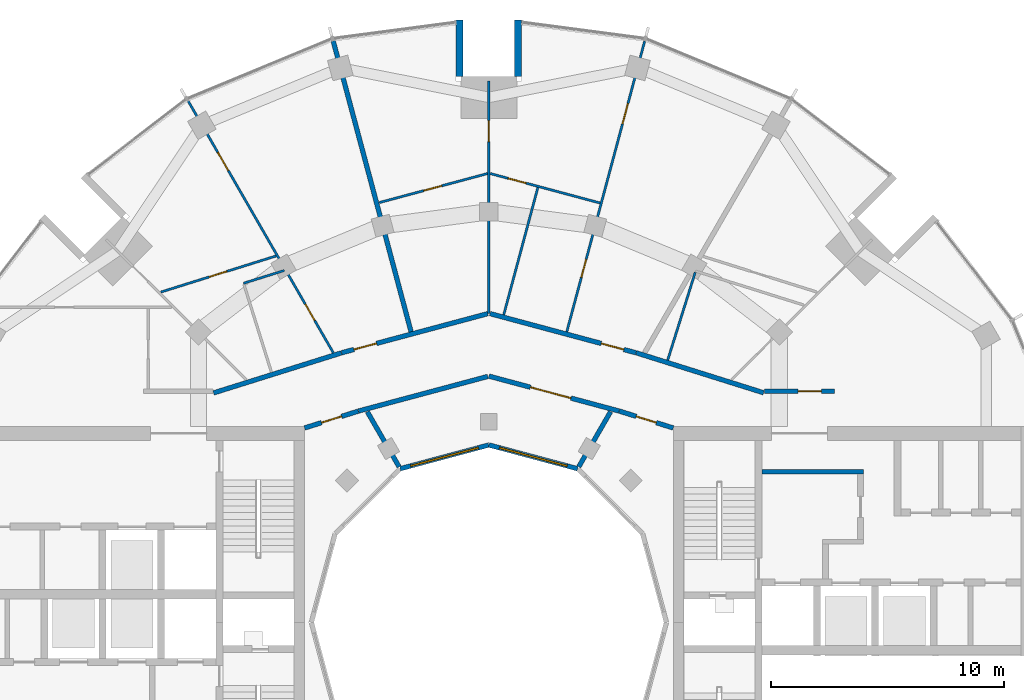
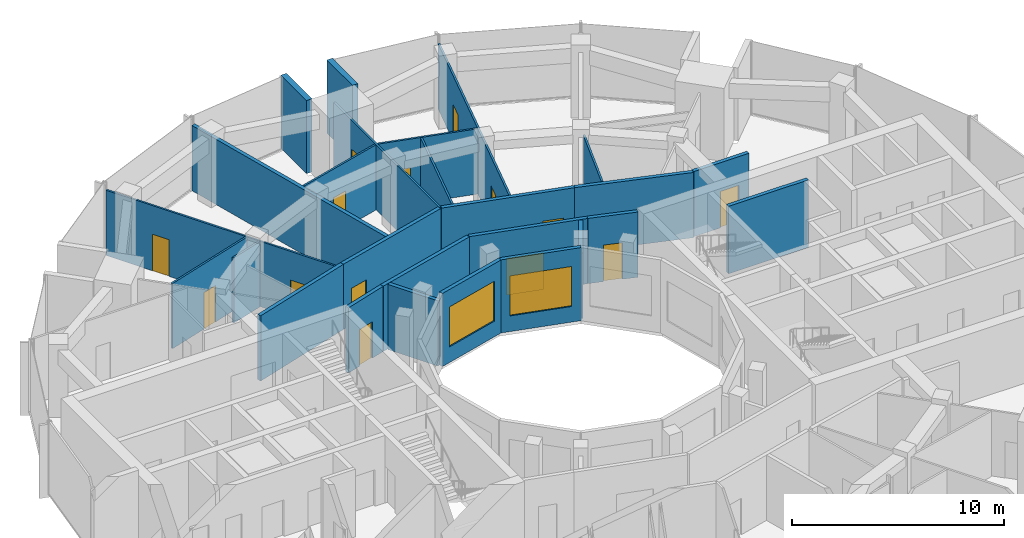
# One storey, part 12 of 15: 26 walls, 14 doors, 2 windows, 16 openings.
"""IFC4 building model written with IfcOpenShell, lengths in metres."""

from ifc_helpers import new_model, si_unit, direction, frame, frame_2d, origin, place, context, subcontext, project, spatial, rectangle, extrude, material, layer, layer_set, type_object, element, fill, save


model = new_model("IFC4")

# Units and contexts
model_context = context("Model", 3, precision=1e-05, world=origin(), true_north=direction((0.0, 1.0)))
body_context = subcontext(model_context, "Body", "Model", "MODEL_VIEW")
ifc_project = project(units=[si_unit("LENGTHUNIT", "METRE"), si_unit("AREAUNIT", "SQUARE_METRE"), si_unit("VOLUMEUNIT", "CUBIC_METRE"), si_unit("PLANEANGLEUNIT", "RADIAN"), si_unit("MASSUNIT", "GRAM", prefix="KILO")], contexts=[model_context])

# Site, building, storey
site_placement = place(None, origin())
site = spatial("IfcSite", under=ifc_project, at=site_placement, CompositionType="ELEMENT")
building_placement = place(site_placement, origin())
building = spatial("IfcBuilding", under=site, at=building_placement, Name="Torre Brocal", CompositionType="ELEMENT")
storey_placement = place(building_placement, frame((0.0, 0.0, 254.10009765625)))
storey = spatial("IfcBuildingStorey", under=building, at=storey_placement, Name="L58", CompositionType="ELEMENT", Elevation=254.10009765625)

# Walls
ifc_material_1 = material(Name="Concrete C60", Category="concrete")
ifc_layer_1 = layer(ifc_material_1, 0.199951171875)
ifc_layer_set_1 = layer_set([ifc_layer_1], Name="Concrete C60")
wall_type_1 = type_object("IfcWallType", Name="CORE WALL 200 C60", PredefinedType="SHEAR", material=ifc_layer_set_1)
wall_1_placement = place(storey_placement, frame((91.699951171875, 81.449951171875, 0.0), z_axis=(0.0, 0.0, 1.0), x_axis=(1.0, 0.0, 0.0)))
element("IfcWall", 1, at=wall_1_placement, inside=storey, type_object=wall_type_1, Name="Wall CW200-60", PredefinedType="SHEAR", context=body_context, shape_type="SweptSolid", body=[
    extrude(rectangle(XDim=4.35009765625, YDim=0.199951171875, at=frame_2d((2.175048828125, 0.0))), origin(), (0.0, 0.0, 1.0), 3.8798828125),
])
ifc_material_2 = material(Name="Concrete C60", Category="concrete")
ifc_layer_2 = layer(ifc_material_2, 0.300048828125)
ifc_layer_set_2 = layer_set([ifc_layer_2], Name="Concrete C60")
wall_type_2 = type_object("IfcWallType", Name="NOTCH RETURN WALL 300 C60", PredefinedType="NOTDEFINED", material=ifc_layer_set_2)
for number, where, z_axis, x_axis, name in (
    (2, (81.25, 98.39990234375, 0.0), (0.0, 0.0, 1.0), (0.0, 1.0, 0.0), "NOTCH RETURN WALL"),
    (3, (78.75, 98.39990234375, 0.0), (0.0, 0.0, 1.0), (0.0, 1.0, 0.0), "NOTCH RETURN WALL"),
):
    element("IfcWall", number, at=place(storey_placement, frame(where, z_axis=z_axis, x_axis=x_axis)), inside=storey, type_object=wall_type_2, Name=name, PredefinedType="NOTDEFINED", context=body_context, shape_type="SweptSolid", body=[
        extrude(rectangle(XDim=2.415771484375, YDim=0.300048828125, at=frame_2d((1.2080078125, 0.0))), origin(), (0.0, 0.0, 1.0), 4.199951171875),
    ])

# Wall, opening, door
ifc_material_3 = material(Name="Gypsum board", Category="Gypsum")
ifc_layer_3 = layer(ifc_material_3, 0.10009765625)
ifc_layer_set_3 = layer_set([ifc_layer_3], Name="Gypsum board")
wall_type_3 = type_object("IfcWallType", Name="PARTITION 100", PredefinedType="PARTITIONING", material=ifc_layer_set_3)
wall_2_placement = place(storey_placement, frame((65.9443359375, 89.156982421875, 0.0), z_axis=(0.0, 0.0, 1.0), x_axis=(0.954238484697, 0.299046675828, 0.0)))
wall_2 = element("IfcWall", 4, at=wall_2_placement, inside=storey, type_object=wall_type_3, Name="BATHROOM WALL", PredefinedType="PARTITIONING", context=body_context, shape_type="SweptSolid", body=[
    extrude(rectangle(XDim=5.16943359375, YDim=0.10009765625, at=frame_2d((2.584716796875, 0.0))), origin(), (0.0, 0.0, 1.0), 3.75),
])
opening_1_placement = place(wall_2_placement, frame((2.169921875, 0.0, 0.0)))
opening_1 = element("IfcOpeningElement", 5, at=opening_1_placement, cuts=wall_2, Name="Opening B04-D13", PredefinedType="OPENING", context=body_context, shape_type="SweptSolid", body=[
    extrude(rectangle(XDim=0.800048828125, YDim=2.10009765625, at=frame_2d((0.39990234375, 1.050048828125))), frame((0.0, 0.06005859375, 0.0), z_axis=(0.0, -1.0, 0.0), x_axis=(1.0, 0.0, 0.0)), (0.0, 0.0, 1.0), 0.1201171875),
])
ifc_material_4 = material(Name="Timber", Category="wood")
door_type_1 = type_object("IfcDoorType", Name="BATHROOM DOOR 800X2100", OperationType="SINGLE_SWING_LEFT", PredefinedType="DOOR", material=ifc_material_4)
door_1_placement = place(opening_1_placement, frame((0.800048828125, 0.0, 0.0), z_axis=(0.0, 0.0, 1.0), x_axis=(-1.0, 0.0, 0.0)))
door_1 = element("IfcDoor", 6, at=door_1_placement, inside=storey, type_object=door_type_1, Name="B04-D13", OperationType="SINGLE_SWING_RIGHT", OverallHeight=2.10009765625, OverallWidth=0.800048828125, PredefinedType="DOOR", context=body_context, shape_type="SweptSolid", body=[
    extrude(rectangle(XDim=0.800048828125, YDim=2.10009765625, at=frame_2d((0.39990234375, 1.050048828125))), frame((0.0, 0.02490234375, 0.0), z_axis=(0.0, -1.0, 0.0), x_axis=(1.0, 0.0, 0.0)), (0.0, 0.0, 1.0), 0.050048828125),
])
fill(opening_1, door_1)

# Wall, openings, doors
wall_3_placement = place(storey_placement, frame((67.110595703125, 97.3466796875, 0.0), z_axis=(0.0, 0.0, 1.0), x_axis=(0.499428303955, -0.866355221147, 0.0)))
wall_3 = element("IfcWall", 7, at=wall_3_placement, inside=storey, type_object=wall_type_3, Name="BATHROOM WALL", PredefinedType="PARTITIONING", context=body_context, shape_type="SweptSolid", body=[
    extrude(rectangle(XDim=12.45556640625, YDim=0.10009765625, at=frame_2d((6.227783203125, 0.0))), origin(), (0.0, 0.0, 1.0), 3.75),
])
opening_2_placement = place(wall_3_placement, frame((2.5380859375, 0.0, 0.0)))
opening_2 = element("IfcOpeningElement", 8, at=opening_2_placement, cuts=wall_3, Name="Opening B04-D12", PredefinedType="OPENING", context=body_context, shape_type="SweptSolid", body=[
    extrude(rectangle(XDim=0.89990234375, YDim=2.10009765625, at=frame_2d((0.449951171875, 1.050048828125))), frame((0.0, 0.06005859375, 0.0), z_axis=(0.0, -1.0, 0.0), x_axis=(1.0, 0.0, 0.0)), (0.0, 0.0, 1.0), 0.1201171875),
])
opening_3_placement = place(wall_3_placement, frame((10.054931640625, 0.0, 0.0)))
opening_3 = element("IfcOpeningElement", 9, at=opening_3_placement, cuts=wall_3, Name="Opening B04-D14", PredefinedType="OPENING", context=body_context, shape_type="SweptSolid", body=[
    extrude(rectangle(XDim=0.800048828125, YDim=2.10009765625, at=frame_2d((0.39990234375, 1.050048828125))), frame((0.0, 0.06005859375, 0.0), z_axis=(0.0, -1.0, 0.0), x_axis=(1.0, 0.0, 0.0)), (0.0, 0.0, 1.0), 0.1201171875),
])
door_2_placement = place(opening_3_placement, frame((0.800048828125, 0.0, 0.0), z_axis=(0.0, 0.0, 1.0), x_axis=(-1.0, 0.0, 0.0)))
door_2 = element("IfcDoor", 10, at=door_2_placement, inside=storey, type_object=door_type_1, Name="B04-D14", OperationType="SINGLE_SWING_LEFT", OverallHeight=2.10009765625, OverallWidth=0.800048828125, PredefinedType="DOOR", context=body_context, shape_type="SweptSolid", body=[
    extrude(rectangle(XDim=0.800048828125, YDim=2.10009765625, at=frame_2d((0.39990234375, 1.050048828125))), frame((0.0, 0.02490234375, 0.0), z_axis=(0.0, -1.0, 0.0), x_axis=(1.0, 0.0, 0.0)), (0.0, 0.0, 1.0), 0.050048828125),
])
fill(opening_3, door_2)
ifc_material_5 = material(Name="Timber", Category="wood")
door_type_2 = type_object("IfcDoorType", Name="ROOM DOOR 900X2100", OperationType="SINGLE_SWING_LEFT", PredefinedType="DOOR", material=ifc_material_5)
door_3_placement = place(opening_2_placement, frame((0.89990234375, 0.0, 0.0), z_axis=(0.0, 0.0, 1.0), x_axis=(-1.0, 0.0, 0.0)))
door_3 = element("IfcDoor", 11, at=door_3_placement, inside=storey, type_object=door_type_2, Name="B04-D12", OperationType="SINGLE_SWING_RIGHT", OverallHeight=2.10009765625, OverallWidth=0.89990234375, PredefinedType="DOOR", context=body_context, shape_type="SweptSolid", body=[
    extrude(rectangle(XDim=0.89990234375, YDim=2.10009765625, at=frame_2d((0.449951171875, 1.050048828125))), frame((0.0, 0.02490234375, 0.0), z_axis=(0.0, -1.0, 0.0), x_axis=(1.0, 0.0, 0.0)), (0.0, 0.0, 1.0), 0.050048828125),
])
fill(opening_2, door_3)

# Wall
wall_4_placement = place(storey_placement, frame((69.486083984375, 89.533935546875, 0.0), z_axis=(0.0, 0.0, 1.0), x_axis=(0.954254575134, 0.298995327449, 0.0)))
element("IfcWall", 12, at=wall_4_placement, inside=storey, type_object=wall_type_3, Name="BATHROOM WALL", PredefinedType="PARTITIONING", context=body_context, shape_type="SweptSolid", body=[
    extrude(rectangle(XDim=1.8330078125, YDim=0.10009765625, at=frame_2d((0.91650390625, 0.0))), origin(), (0.0, 0.0, 1.0), 3.75),
])

# Wall, opening, door
wall_5_placement = place(storey_placement, frame((75.294189453125, 92.988525390625, 0.0), z_axis=(0.0, 0.0, 1.0), x_axis=(0.965836333205, 0.259152807165, 0.0)))
wall_5 = element("IfcWall", 13, at=wall_5_placement, inside=storey, type_object=wall_type_3, Name="BATHROOM WALL", PredefinedType="PARTITIONING", context=body_context, shape_type="SweptSolid", body=[
    extrude(rectangle(XDim=4.81201171875, YDim=0.10009765625, at=frame_2d((2.406005859375, 0.0))), origin(), (0.0, 0.0, 1.0), 3.75),
])
opening_4_placement = place(wall_5_placement, frame((1.981201171875, 0.0, 0.0)))
opening_4 = element("IfcOpeningElement", 14, at=opening_4_placement, cuts=wall_5, Name="Opening B04-D10", PredefinedType="OPENING", context=body_context, shape_type="SweptSolid", body=[
    extrude(rectangle(XDim=0.800048828125, YDim=2.10009765625, at=frame_2d((0.39990234375, 1.050048828125))), frame((0.0, 0.06005859375, 0.0), z_axis=(0.0, -1.0, 0.0), x_axis=(1.0, 0.0, 0.0)), (0.0, 0.0, 1.0), 0.1201171875),
])
door_4_placement = place(opening_4_placement, frame((0.800048828125, 0.0, 0.0), z_axis=(0.0, 0.0, 1.0), x_axis=(-1.0, 0.0, 0.0)))
door_4 = element("IfcDoor", 15, at=door_4_placement, inside=storey, type_object=door_type_1, Name="B04-D10", OperationType="SINGLE_SWING_LEFT", OverallHeight=2.10009765625, OverallWidth=0.800048828125, PredefinedType="DOOR", context=body_context, shape_type="SweptSolid", body=[
    extrude(rectangle(XDim=0.800048828125, YDim=2.10009765625, at=frame_2d((0.39990234375, 1.050048828125))), frame((0.0, 0.02490234375, 0.0), z_axis=(0.0, -1.0, 0.0), x_axis=(1.0, 0.0, 0.0)), (0.0, 0.0, 1.0), 0.050048828125),
])
fill(opening_4, door_4)

wall_6_placement = place(storey_placement, frame((80.0, 88.24609375, 0.0), z_axis=(0.0, 0.0, 1.0), x_axis=(0.0, 1.0, 0.0)))
wall_6 = element("IfcWall", 16, at=wall_6_placement, inside=storey, type_object=wall_type_3, Name="BATHROOM WALL", PredefinedType="PARTITIONING", context=body_context, shape_type="SweptSolid", body=[
    extrude(rectangle(XDim=9.953857421875, YDim=0.10009765625, at=frame_2d((4.97705078125, 0.0))), origin(), (0.0, 0.0, 1.0), 3.75),
])
opening_5_placement = place(wall_6_placement, frame((7.3544921875, 0.0, 0.0)))
opening_5 = element("IfcOpeningElement", 17, at=opening_5_placement, cuts=wall_6, Name="Opening B04-D09", PredefinedType="OPENING", context=body_context, shape_type="SweptSolid", body=[
    extrude(rectangle(XDim=0.89990234375, YDim=2.10009765625, at=frame_2d((0.449951171875, 1.050048828125))), frame((0.0, 0.06005859375, 0.0), z_axis=(0.0, -1.0, 0.0), x_axis=(1.0, 0.0, 0.0)), (0.0, 0.0, 1.0), 0.1201171875),
])
door_5_placement = place(opening_5_placement, origin())
door_5 = element("IfcDoor", 18, at=door_5_placement, inside=storey, type_object=door_type_2, Name="B04-D09", OperationType="SINGLE_SWING_LEFT", OverallHeight=2.10009765625, OverallWidth=0.89990234375, PredefinedType="DOOR", context=body_context, shape_type="SweptSolid", body=[
    extrude(rectangle(XDim=0.89990234375, YDim=2.10009765625, at=frame_2d((0.449951171875, 1.050048828125))), frame((0.0, 0.02490234375, 0.0), z_axis=(0.0, -1.0, 0.0), x_axis=(1.0, 0.0, 0.0)), (0.0, 0.0, 1.0), 0.050048828125),
])
fill(opening_5, door_5)

wall_7_placement = place(storey_placement, frame((80.057861328125, 94.2353515625, 0.0), z_axis=(0.0, 0.0, 1.0), x_axis=(0.965831212389, -0.259171891173, 0.0)))
wall_7 = element("IfcWall", 19, at=wall_7_placement, inside=storey, type_object=wall_type_3, Name="BATHROOM WALL", PredefinedType="PARTITIONING", context=body_context, shape_type="SweptSolid", body=[
    extrude(rectangle(XDim=4.8720703125, YDim=0.10009765625, at=frame_2d((2.43603515625, 0.0))), origin(), (0.0, 0.0, 1.0), 3.75),
])
opening_6_placement = place(wall_7_placement, frame((0.79150390625, 0.0, 0.0)))
opening_6 = element("IfcOpeningElement", 20, at=opening_6_placement, cuts=wall_7, Name="Opening B04-D07", PredefinedType="OPENING", context=body_context, shape_type="SweptSolid", body=[
    extrude(rectangle(XDim=0.800048828125, YDim=2.10009765625, at=frame_2d((0.39990234375, 1.050048828125))), frame((0.0, 0.06005859375, 0.0), z_axis=(0.0, -1.0, 0.0), x_axis=(1.0, 0.0, 0.0)), (0.0, 0.0, 1.0), 0.1201171875),
])
door_6_placement = place(opening_6_placement, frame((0.800048828125, 0.0, 0.0), z_axis=(0.0, 0.0, 1.0), x_axis=(-1.0, 0.0, 0.0)))
door_6 = element("IfcDoor", 21, at=door_6_placement, inside=storey, type_object=door_type_1, Name="B04-D07", OperationType="SINGLE_SWING_LEFT", OverallHeight=2.10009765625, OverallWidth=0.800048828125, PredefinedType="DOOR", context=body_context, shape_type="SweptSolid", body=[
    extrude(rectangle(XDim=0.800048828125, YDim=2.10009765625, at=frame_2d((0.39990234375, 1.050048828125))), frame((0.0, 0.02490234375, 0.0), z_axis=(0.0, -1.0, 0.0), x_axis=(1.0, 0.0, 0.0)), (0.0, 0.0, 1.0), 0.050048828125),
])
fill(opening_6, door_6)

# Wall
wall_8_placement = place(storey_placement, frame((80.635009765625, 88.179443359375, 0.0), z_axis=(0.0, 0.0, 1.0), x_axis=(0.258942728312, 0.965892676986, 0.0)))
element("IfcWall", 22, at=wall_8_placement, inside=storey, type_object=wall_type_3, Name="BATHROOM WALL", PredefinedType="PARTITIONING", context=body_context, shape_type="SweptSolid", body=[
    extrude(rectangle(XDim=5.6494140625, YDim=0.10009765625, at=frame_2d((2.82470703125, 0.0))), origin(), (0.0, 0.0, 1.0), 3.75),
])

# Wall, openings, doors
wall_9_placement = place(storey_placement, frame((83.337646484375, 87.455078125, 0.0), z_axis=(0.0, 0.0, 1.0), x_axis=(0.25886596283, 0.965913253501, 0.0)))
wall_9 = element("IfcWall", 23, at=wall_9_placement, inside=storey, type_object=wall_type_3, Name="BATHROOM WALL", PredefinedType="PARTITIONING", context=body_context, shape_type="SweptSolid", body=[
    extrude(rectangle(XDim=12.90380859375, YDim=0.10009765625, at=frame_2d((6.451904296875, 0.0))), origin(), (0.0, 0.0, 1.0), 3.75),
])
opening_7_placement = place(wall_9_placement, frame((9.2265625, 0.0, 0.0)))
opening_7 = element("IfcOpeningElement", 24, at=opening_7_placement, cuts=wall_9, Name="Opening B04-D06", PredefinedType="OPENING", context=body_context, shape_type="SweptSolid", body=[
    extrude(rectangle(XDim=0.89990234375, YDim=2.10009765625, at=frame_2d((0.449951171875, 1.050048828125))), frame((0.0, 0.06005859375, 0.0), z_axis=(0.0, -1.0, 0.0), x_axis=(1.0, 0.0, 0.0)), (0.0, 0.0, 1.0), 0.1201171875),
])
opening_8_placement = place(wall_9_placement, frame((2.4091796875, 0.0, 0.0)))
opening_8 = element("IfcOpeningElement", 25, at=opening_8_placement, cuts=wall_9, Name="Opening B04-D08", PredefinedType="OPENING", context=body_context, shape_type="SweptSolid", body=[
    extrude(rectangle(XDim=0.800048828125, YDim=2.10009765625, at=frame_2d((0.39990234375, 1.050048828125))), frame((0.0, 0.06005859375, 0.0), z_axis=(0.0, -1.0, 0.0), x_axis=(1.0, 0.0, 0.0)), (0.0, 0.0, 1.0), 0.1201171875),
])
door_7_placement = place(opening_8_placement, origin())
door_7 = element("IfcDoor", 26, at=door_7_placement, inside=storey, type_object=door_type_1, Name="B04-D08", OperationType="SINGLE_SWING_RIGHT", OverallHeight=2.10009765625, OverallWidth=0.800048828125, PredefinedType="DOOR", context=body_context, shape_type="SweptSolid", body=[
    extrude(rectangle(XDim=0.800048828125, YDim=2.10009765625, at=frame_2d((0.39990234375, 1.050048828125))), frame((0.0, 0.02490234375, 0.0), z_axis=(0.0, -1.0, 0.0), x_axis=(1.0, 0.0, 0.0)), (0.0, 0.0, 1.0), 0.050048828125),
])
fill(opening_8, door_7)
door_8_placement = place(opening_7_placement, frame((0.89990234375, 0.0, 0.0), z_axis=(0.0, 0.0, 1.0), x_axis=(-1.0, 0.0, 0.0)))
door_8 = element("IfcDoor", 27, at=door_8_placement, inside=storey, type_object=door_type_2, Name="B04-D06", OperationType="SINGLE_SWING_LEFT", OverallHeight=2.10009765625, OverallWidth=0.89990234375, PredefinedType="DOOR", context=body_context, shape_type="SweptSolid", body=[
    extrude(rectangle(XDim=0.89990234375, YDim=2.10009765625, at=frame_2d((0.449951171875, 1.050048828125))), frame((0.0, 0.02490234375, 0.0), z_axis=(0.0, -1.0, 0.0), x_axis=(1.0, 0.0, 0.0)), (0.0, 0.0, 1.0), 0.050048828125),
])
fill(opening_7, door_8)

# Walls
wall_10_placement = place(storey_placement, frame((87.660888671875, 86.236328125, 0.0), z_axis=(0.0, 0.0, 1.0), x_axis=(0.299267255743, 0.954169329648, 0.0)))
element("IfcWall", 28, at=wall_10_placement, inside=storey, type_object=wall_type_3, Name="BATHROOM WALL", PredefinedType="PARTITIONING", context=body_context, shape_type="SweptSolid", body=[
    extrude(rectangle(XDim=3.9501953125, YDim=0.10009765625, at=frame_2d((1.97509765625, 0.0))), origin(), (0.0, 0.0, 1.0), 3.75),
])
ifc_material_6 = material(Name="Gypsum board", Category="Gypsum")
ifc_layer_4 = layer(ifc_material_6, 0.199951171875)
ifc_layer_set_4 = layer_set([ifc_layer_4], Name="Gypsum board")
wall_type_4 = type_object("IfcWallType", Name="PARTITION 200 EI60", PredefinedType="PARTITIONING", material=ifc_layer_set_4)
wall_11_placement = place(storey_placement, frame((68.19970703125, 84.833740234375, 0.0), z_axis=(0.0, 0.0, 1.0), x_axis=(0.954260265251, 0.298977166624, 0.0)))
element("IfcWall", 29, at=wall_11_placement, inside=storey, type_object=wall_type_4, Name="FLAT ENTRANCE WALL", PredefinedType="PARTITIONING", context=body_context, shape_type="SweptSolid", body=[
    extrude(rectangle(XDim=5.74072265625, YDim=0.199951171875, at=frame_2d((2.870361328125, 0.0))), origin(), (0.0, 0.0, 1.0), 3.75),
])

# Wall, opening, door
wall_12_placement = place(storey_placement, frame((72.10009765625, 83.33203125, 0.0), z_axis=(0.0, 0.0, 1.0), x_axis=(0.954233106619, 0.299063836383, 0.0)))
wall_12 = element("IfcWall", 30, at=wall_12_placement, inside=storey, type_object=wall_type_4, Name="CORRIDOR WALL", PredefinedType="PARTITIONING", context=body_context, shape_type="SweptSolid", body=[
    extrude(rectangle(XDim=2.4140625, YDim=0.199951171875, at=frame_2d((1.20703125, 0.0))), origin(), (0.0, 0.0, 1.0), 3.75),
])
opening_9_placement = place(wall_12_placement, frame((0.761962890625, 0.0, 0.0)))
opening_9 = element("IfcOpeningElement", 31, at=opening_9_placement, cuts=wall_12, Name="Opening B04-D20", PredefinedType="OPENING", context=body_context, shape_type="SweptSolid", body=[
    extrude(rectangle(XDim=0.89990234375, YDim=2.10009765625, at=frame_2d((0.449951171875, 1.050048828125))), frame((0.0, 0.10986328125, 0.0), z_axis=(0.0, -1.0, 0.0), x_axis=(1.0, 0.0, 0.0)), (0.0, 0.0, 1.0), 0.219970703125),
])
door_9_placement = place(opening_9_placement, frame((0.89990234375, 0.0, 0.0), z_axis=(0.0, 0.0, 1.0), x_axis=(-1.0, 0.0, 0.0)))
door_9 = element("IfcDoor", 32, at=door_9_placement, inside=storey, type_object=door_type_2, Name="B04-D20", OperationType="SINGLE_SWING_RIGHT", OverallHeight=2.10009765625, OverallWidth=0.89990234375, PredefinedType="DOOR", context=body_context, shape_type="SweptSolid", body=[
    extrude(rectangle(XDim=0.89990234375, YDim=2.10009765625, at=frame_2d((0.449951171875, 1.050048828125))), frame((0.0, 0.02490234375, 0.0), z_axis=(0.0, -1.0, 0.0), x_axis=(1.0, 0.0, 0.0)), (0.0, 0.0, 1.0), 0.050048828125),
])
fill(opening_9, door_9)

# Wall
wall_13_placement = place(storey_placement, frame((73.326904296875, 99.92041015625, 0.0), z_axis=(0.0, 0.0, 1.0), x_axis=(0.258652861824, -0.965970339643, 0.0)))
element("IfcWall", 33, at=wall_13_placement, inside=storey, type_object=wall_type_4, Name="BATHROOM WALL", PredefinedType="PARTITIONING", context=body_context, shape_type="SweptSolid", body=[
    extrude(rectangle(XDim=12.904052734375, YDim=0.199951171875, at=frame_2d((6.4521484375, 0.0))), origin(), (0.0, 0.0, 1.0), 3.75),
])

# Wall, opening, door
wall_14_placement = place(storey_placement, frame((73.68701171875, 86.55419921875, 0.0), z_axis=(0.0, 0.0, 1.0), x_axis=(0.965961994098, 0.258684027257, 0.0)))
wall_14 = element("IfcWall", 34, at=wall_14_placement, inside=storey, type_object=wall_type_4, Name="FLAT ENTRANCE WALL", PredefinedType="PARTITIONING", context=body_context, shape_type="SweptSolid", body=[
    extrude(rectangle(XDim=6.485595703125, YDim=0.199951171875, at=frame_2d((3.24267578125, 0.0))), origin(), (0.0, 0.0, 1.0), 3.75),
])
opening_10_placement = place(wall_14_placement, frame((0.550048828125, 0.0, 0.0)))
opening_10 = element("IfcOpeningElement", 35, at=opening_10_placement, cuts=wall_14, Name="Opening B04-D11", PredefinedType="OPENING", context=body_context, shape_type="SweptSolid", body=[
    extrude(rectangle(XDim=1.0, YDim=2.10009765625, at=frame_2d((0.5, 1.050048828125))), frame((0.0, 0.10986328125, 0.0), z_axis=(0.0, -1.0, 0.0), x_axis=(1.0, 0.0, 0.0)), (0.0, 0.0, 1.0), 0.219970703125),
])
ifc_material_7 = material(Name="Timber", Category="wood")
door_type_3 = type_object("IfcDoorType", Name="FLAT ENTRY DOOR FD30S 1000X2100", OperationType="SINGLE_SWING_RIGHT", PredefinedType="DOOR", material=ifc_material_7)
door_10_placement = place(opening_10_placement, origin())
door_10 = element("IfcDoor", 36, at=door_10_placement, inside=storey, type_object=door_type_3, Name="B04-D11", OperationType="SINGLE_SWING_LEFT", OverallHeight=2.10009765625, OverallWidth=1.0, PredefinedType="DOOR", context=body_context, shape_type="SweptSolid", body=[
    extrude(rectangle(XDim=1.0, YDim=2.10009765625, at=frame_2d((0.5, 1.050048828125))), frame((0.0, 0.02490234375, 0.0), z_axis=(0.0, -1.0, 0.0), x_axis=(1.0, 0.0, 0.0)), (0.0, 0.0, 1.0), 0.050048828125),
])
fill(opening_10, door_10)

# Walls
wall_15_placement = place(storey_placement, frame((74.412841796875, 84.05712890625, 0.0), z_axis=(0.0, 0.0, 1.0), x_axis=(0.965970849692, 0.258650956976, 0.0)))
element("IfcWall", 37, at=wall_15_placement, inside=storey, type_object=wall_type_4, Name="CORRIDOR WALL", PredefinedType="PARTITIONING", context=body_context, shape_type="SweptSolid", body=[
    extrude(rectangle(XDim=5.734130859375, YDim=0.199951171875, at=frame_2d((2.8671875, 0.0))), origin(), (0.0, 0.0, 1.0), 3.75),
])
wall_16_placement = place(storey_placement, frame((74.78955078125, 84.0283203125, 0.0), z_axis=(0.0, 0.0, 1.0), x_axis=(0.499859501914, -0.866106505198, 0.0)))
element("IfcWall", 38, at=wall_16_placement, inside=storey, type_object=wall_type_4, Name="SERVICE ROOM WALL", PredefinedType="PARTITIONING", context=body_context, shape_type="SweptSolid", body=[
    extrude(rectangle(XDim=2.724365234375, YDim=0.199951171875, at=frame_2d((1.3623046875, 0.0))), origin(), (0.0, 0.0, 1.0), 3.75),
])

# Wall, opening, door
wall_17_placement = place(storey_placement, frame((80.0, 85.55419921875, 0.0), z_axis=(0.0, 0.0, 1.0), x_axis=(0.965894438951, -0.258936155845, 0.0)))
wall_17 = element("IfcWall", 39, at=wall_17_placement, inside=storey, type_object=wall_type_4, Name="CORRIDOR WALL", PredefinedType="PARTITIONING", context=body_context, shape_type="SweptSolid", body=[
    extrude(rectangle(XDim=5.774169921875, YDim=0.199951171875, at=frame_2d((2.88720703125, 0.0))), origin(), (0.0, 0.0, 1.0), 3.75),
])
opening_11_placement = place(wall_17_placement, frame((1.84130859375, 0.0, 0.0)))
opening_11 = element("IfcOpeningElement", 40, at=opening_11_placement, cuts=wall_17, Name="Opening B04-D19", PredefinedType="OPENING", context=body_context, shape_type="SweptSolid", body=[
    extrude(rectangle(XDim=1.800048828125, YDim=2.10009765625, at=frame_2d((0.89990234375, 1.050048828125))), frame((0.0, 0.10986328125, 0.0), z_axis=(0.0, -1.0, 0.0), x_axis=(1.0, 0.0, 0.0)), (0.0, 0.0, 1.0), 0.219970703125),
])
ifc_material_8 = material(Name="Timber", Category="wood")
door_type_4 = type_object("IfcDoorType", Name="DOUBLE DOOR 1800X2100", OperationType="DOUBLE_DOOR_SINGLE_SWING", PredefinedType="DOOR", material=ifc_material_8)
door_11_placement = place(opening_11_placement, frame((1.800048828125, 0.0, 0.0), z_axis=(0.0, 0.0, 1.0), x_axis=(-1.0, 0.0, 0.0)))
door_11 = element("IfcDoor", 41, at=door_11_placement, inside=storey, type_object=door_type_4, Name="B04-D19", OperationType="DOUBLE_DOOR_SINGLE_SWING", OverallHeight=2.10009765625, OverallWidth=1.800048828125, PredefinedType="DOOR", context=body_context, shape_type="SweptSolid", body=[
    extrude(rectangle(XDim=1.800048828125, YDim=2.10009765625, at=frame_2d((0.89990234375, 1.050048828125))), frame((0.0, 0.02490234375, 0.0), z_axis=(0.0, -1.0, 0.0), x_axis=(1.0, 0.0, 0.0)), (0.0, 0.0, 1.0), 0.050048828125),
])
fill(opening_11, door_11)

wall_18_placement = place(storey_placement, frame((80.04833984375, 88.2333984375, 0.0), z_axis=(0.0, 0.0, 1.0), x_axis=(0.965787353661, -0.259335280109, 0.0)))
wall_18 = element("IfcWall", 42, at=wall_18_placement, inside=storey, type_object=wall_type_4, Name="FLAT ENTRANCE WALL", PredefinedType="PARTITIONING", context=body_context, shape_type="SweptSolid", body=[
    extrude(rectangle(XDim=6.47607421875, YDim=0.199951171875, at=frame_2d((3.238037109375, 0.0))), origin(), (0.0, 0.0, 1.0), 3.75),
])
opening_12_placement = place(wall_18_placement, frame((4.935791015625, 0.0, 0.0)))
opening_12 = element("IfcOpeningElement", 43, at=opening_12_placement, cuts=wall_18, Name="Opening B04-D05", PredefinedType="OPENING", context=body_context, shape_type="SweptSolid", body=[
    extrude(rectangle(XDim=1.0, YDim=2.10009765625, at=frame_2d((0.5, 1.050048828125))), frame((0.0, 0.10986328125, 0.0), z_axis=(0.0, -1.0, 0.0), x_axis=(1.0, 0.0, 0.0)), (0.0, 0.0, 1.0), 0.219970703125),
])
door_12_placement = place(opening_12_placement, origin())
door_12 = element("IfcDoor", 44, at=door_12_placement, inside=storey, type_object=door_type_3, Name="B04-D05", OperationType="SINGLE_SWING_RIGHT", OverallHeight=2.10009765625, OverallWidth=1.0, PredefinedType="DOOR", context=body_context, shape_type="SweptSolid", body=[
    extrude(rectangle(XDim=1.0, YDim=2.10009765625, at=frame_2d((0.5, 1.050048828125))), frame((0.0, 0.02490234375, 0.0), z_axis=(0.0, -1.0, 0.0), x_axis=(1.0, 0.0, 0.0)), (0.0, 0.0, 1.0), 0.050048828125),
])
fill(opening_12, door_12)

# Wall
wall_19_placement = place(storey_placement, frame((83.85009765625, 81.667724609375, 0.0), z_axis=(0.0, 0.0, 1.0), x_axis=(0.500099931433, 0.865967700657, 0.0)))
element("IfcWall", 45, at=wall_19_placement, inside=storey, type_object=wall_type_4, Name="PARTY PARTITION", PredefinedType="PARTITIONING", context=body_context, shape_type="SweptSolid", body=[
    extrude(rectangle(XDim=2.724609375, YDim=0.199951171875, at=frame_2d((1.3623046875, 0.0))), origin(), (0.0, 0.0, 1.0), 3.75),
])

# Wall, opening, door
wall_20_placement = place(storey_placement, frame((85.5869140625, 84.056884765625, 0.0), z_axis=(0.0, 0.0, 1.0), x_axis=(0.954239513179, -0.299043393987, 0.0)))
wall_20 = element("IfcWall", 46, at=wall_20_placement, inside=storey, type_object=wall_type_4, Name="CORRIDOR WALL", PredefinedType="PARTITIONING", context=body_context, shape_type="SweptSolid", body=[
    extrude(rectangle(XDim=2.423828125, YDim=0.199951171875, at=frame_2d((1.2119140625, 0.0))), origin(), (0.0, 0.0, 1.0), 3.75),
])
opening_13_placement = place(wall_20_placement, frame((0.761962890625, 0.0, 0.0)))
opening_13 = element("IfcOpeningElement", 47, at=opening_13_placement, cuts=wall_20, Name="Opening B04-D18", PredefinedType="OPENING", context=body_context, shape_type="SweptSolid", body=[
    extrude(rectangle(XDim=0.89990234375, YDim=2.10009765625, at=frame_2d((0.449951171875, 1.050048828125))), frame((0.0, 0.10986328125, 0.0), z_axis=(0.0, -1.0, 0.0), x_axis=(1.0, 0.0, 0.0)), (0.0, 0.0, 1.0), 0.219970703125),
])
door_13_placement = place(opening_13_placement, frame((0.89990234375, 0.0, 0.0), z_axis=(0.0, 0.0, 1.0), x_axis=(-1.0, 0.0, 0.0)))
door_13 = element("IfcDoor", 48, at=door_13_placement, inside=storey, type_object=door_type_2, Name="B04-D18", OperationType="SINGLE_SWING_LEFT", OverallHeight=2.10009765625, OverallWidth=0.89990234375, PredefinedType="DOOR", context=body_context, shape_type="SweptSolid", body=[
    extrude(rectangle(XDim=0.89990234375, YDim=2.10009765625, at=frame_2d((0.449951171875, 1.050048828125))), frame((0.0, 0.02490234375, 0.0), z_axis=(0.0, -1.0, 0.0), x_axis=(1.0, 0.0, 0.0)), (0.0, 0.0, 1.0), 0.050048828125),
])
fill(opening_13, door_13)

# Wall
wall_21_placement = place(storey_placement, frame((86.313232421875, 86.554443359375, 0.0), z_axis=(0.0, 0.0, 1.0), x_axis=(0.954077387881, -0.29956024091, 0.0)))
element("IfcWall", 49, at=wall_21_placement, inside=storey, type_object=wall_type_4, Name="FLAT ENTRANCE WALL", PredefinedType="PARTITIONING", context=body_context, shape_type="SweptSolid", body=[
    extrude(rectangle(XDim=5.720458984375, YDim=0.199951171875, at=frame_2d((2.8603515625, 0.0))), origin(), (0.0, 0.0, 1.0), 3.75),
])

# Wall, opening, door
wall_22_placement = place(storey_placement, frame((91.800048828125, 84.89990234375, 0.0), z_axis=(0.0, 0.0, 1.0), x_axis=(1.0, 0.0, 0.0)))
wall_22 = element("IfcWall", 50, at=wall_22_placement, inside=storey, type_object=wall_type_4, Name="FLAT ENTRANCE WALL", PredefinedType="PARTITIONING", context=body_context, shape_type="SweptSolid", body=[
    extrude(rectangle(XDim=3.0, YDim=0.199951171875, at=frame_2d((1.5, 0.0))), origin(), (0.0, 0.0, 1.0), 3.75),
])
opening_14_placement = place(wall_22_placement, frame((1.449951171875, 0.0, 0.0)))
opening_14 = element("IfcOpeningElement", 51, at=opening_14_placement, cuts=wall_22, Name="Opening B04-D01", PredefinedType="OPENING", context=body_context, shape_type="SweptSolid", body=[
    extrude(rectangle(XDim=1.0, YDim=2.10009765625, at=frame_2d((0.5, 1.050048828125))), frame((0.0, 0.10986328125, 0.0), z_axis=(0.0, -1.0, 0.0), x_axis=(1.0, 0.0, 0.0)), (0.0, 0.0, 1.0), 0.219970703125),
])
door_14_placement = place(opening_14_placement, origin())
door_14 = element("IfcDoor", 52, at=door_14_placement, inside=storey, type_object=door_type_3, Name="B04-D01", OperationType="SINGLE_SWING_LEFT", OverallHeight=2.10009765625, OverallWidth=1.0, PredefinedType="DOOR", context=body_context, shape_type="SweptSolid", body=[
    extrude(rectangle(XDim=1.0, YDim=2.10009765625, at=frame_2d((0.5, 1.050048828125))), frame((0.0, 0.02490234375, 0.0), z_axis=(0.0, -1.0, 0.0), x_axis=(1.0, 0.0, 0.0)), (0.0, 0.0, 1.0), 0.050048828125),
])
fill(opening_14, door_14)

# Wall, opening, window
ifc_material_9 = material(Name="Concrete C40", Category="concrete")
ifc_layer_5 = layer(ifc_material_9, 0.199951171875)
ifc_layer_set_5 = layer_set([ifc_layer_5], Name="Concrete C40")
wall_type_5 = type_object("IfcWallType", Name="WELL FACADE WALL 200", PredefinedType="NOTDEFINED", material=ifc_layer_set_5)
wall_23_placement = place(storey_placement, frame((83.8017578125, 81.5849609375, 0.0), z_axis=(0.0, 0.0, 1.0), x_axis=(-0.965933654434, 0.258789828301, 0.0)))
wall_23 = element("IfcWall", 53, at=wall_23_placement, inside=storey, type_object=wall_type_5, Name="WELL FACADE WALL", PredefinedType="NOTDEFINED", context=body_context, shape_type="SweptSolid", body=[
    extrude(rectangle(XDim=3.935791015625, YDim=0.199951171875, at=frame_2d((1.9677734375, 0.0))), origin(), (0.0, 0.0, 1.0), 4.199951171875),
])
opening_15_placement = place(wall_23_placement, frame((0.468017578125, 0.0, 0.89990234375)))
opening_15 = element("IfcOpeningElement", 54, at=opening_15_placement, cuts=wall_23, Name="Opening W1", PredefinedType="OPENING", context=body_context, shape_type="SweptSolid", body=[
    extrude(rectangle(XDim=3.0, YDim=2.300048828125, at=frame_2d((1.5, 1.14990234375))), frame((0.0, 0.10986328125, 0.0), z_axis=(0.0, -1.0, 0.0), x_axis=(1.0, 0.0, 0.0)), (0.0, 0.0, 1.0), 0.219970703125),
])
ifc_material_10 = material(Name="Aluminium and glass", Category="aluminium")
window_type = type_object("IfcWindowType", Name="WELL WINDOW 3000X2300", PartitioningType="SINGLE_PANEL", PredefinedType="WINDOW", material=ifc_material_10)
window_1_placement = place(opening_15_placement, origin())
window_1 = element("IfcWindow", 55, at=window_1_placement, inside=storey, type_object=window_type, Name="WELL WINDOW 3000X2300", OverallHeight=2.300048828125, OverallWidth=3.0, PartitioningType="SINGLE_PANEL", PredefinedType="WINDOW", context=body_context, shape_type="SweptSolid", body=[
    extrude(rectangle(XDim=3.0, YDim=2.300048828125, at=frame_2d((1.5, 1.14990234375))), frame((0.0, 0.030029296875, 0.0), z_axis=(0.0, -1.0, 0.0), x_axis=(1.0, 0.0, 0.0)), (0.0, 0.0, 1.0), 0.06005859375),
])
fill(opening_15, window_1)

wall_24_placement = place(storey_placement, frame((80.0, 82.603515625, 0.0), z_axis=(0.0, 0.0, 1.0), x_axis=(-0.965933654434, -0.258789828301, 0.0)))
wall_24 = element("IfcWall", 56, at=wall_24_placement, inside=storey, type_object=wall_type_5, Name="WELL FACADE WALL", PredefinedType="NOTDEFINED", context=body_context, shape_type="SweptSolid", body=[
    extrude(rectangle(XDim=3.935791015625, YDim=0.199951171875, at=frame_2d((1.9677734375, 0.0))), origin(), (0.0, 0.0, 1.0), 4.199951171875),
])
opening_16_placement = place(wall_24_placement, frame((0.468017578125, 0.0, 0.89990234375)))
opening_16 = element("IfcOpeningElement", 57, at=opening_16_placement, cuts=wall_24, Name="Opening W1", PredefinedType="OPENING", context=body_context, shape_type="SweptSolid", body=[
    extrude(rectangle(XDim=3.0, YDim=2.300048828125, at=frame_2d((1.5, 1.14990234375))), frame((0.0, 0.10986328125, 0.0), z_axis=(0.0, -1.0, 0.0), x_axis=(1.0, 0.0, 0.0)), (0.0, 0.0, 1.0), 0.219970703125),
])
window_2_placement = place(opening_16_placement, origin())
window_2 = element("IfcWindow", 58, at=window_2_placement, inside=storey, type_object=window_type, Name="WELL WINDOW 3000X2300", OverallHeight=2.300048828125, OverallWidth=3.0, PartitioningType="SINGLE_PANEL", PredefinedType="WINDOW", context=body_context, shape_type="SweptSolid", body=[
    extrude(rectangle(XDim=3.0, YDim=2.300048828125, at=frame_2d((1.5, 1.14990234375))), frame((0.0, 0.030029296875, 0.0), z_axis=(0.0, -1.0, 0.0), x_axis=(1.0, 0.0, 0.0)), (0.0, 0.0, 1.0), 0.06005859375),
])
fill(opening_16, window_2)

save(model, "model.ifc")
